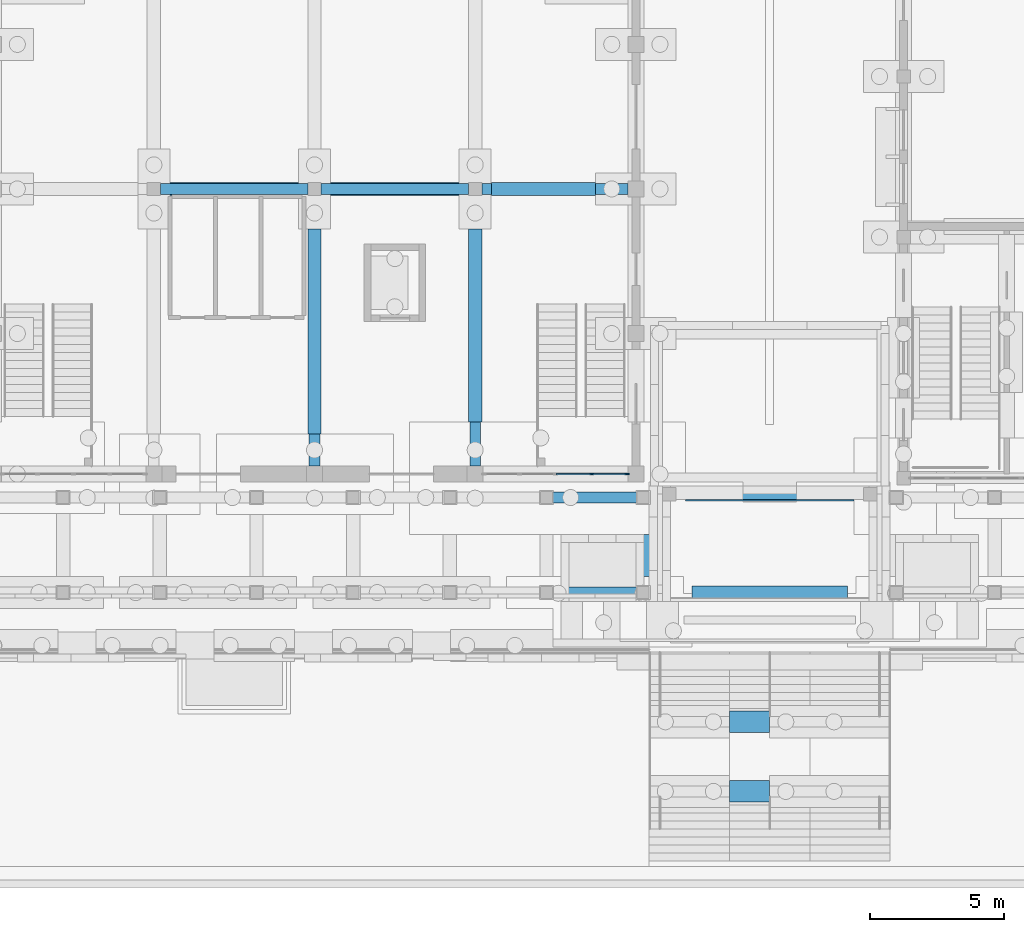
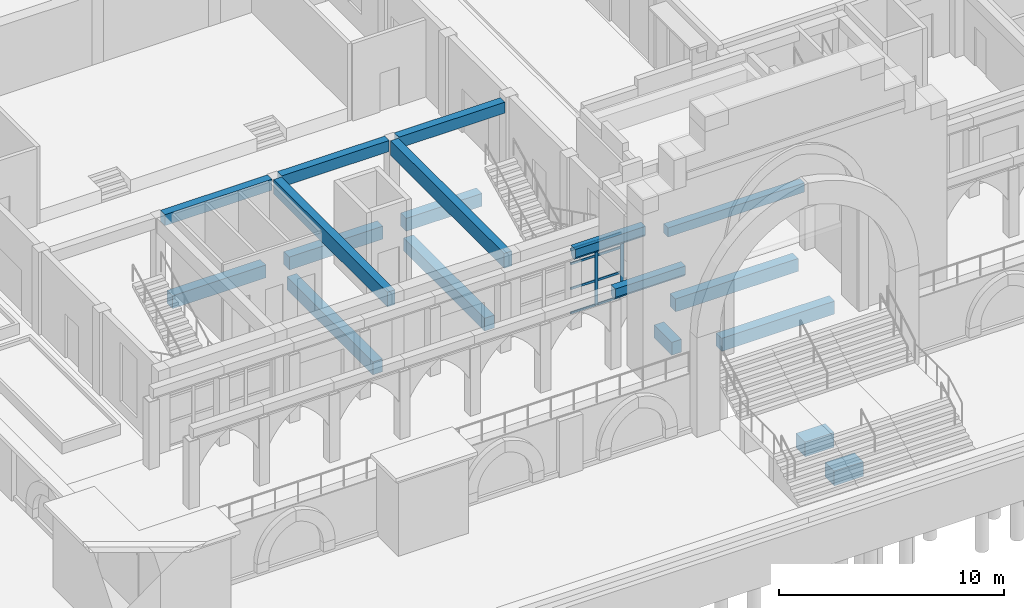
# One storey, part 11 of 161: 18 beams, 10 members, 1 element without a shape of its own.
"""IFC4 building model written with IfcOpenShell, lengths in metres."""

from ifc_helpers import new_model, si_unit, direction, frame, origin, origin_2d, place, context, subcontext, project, spatial, polyline, rectangle, outline, extrude, material, material_profile, profile_set, type_object, element, aggregate, save


model = new_model("IFC4")

# Units and contexts
model_context = context("Model", 3, precision=1e-05, world=origin(), true_north=direction((0.0, 1.0)))
body_context = subcontext(model_context, "Body", "Model", "MODEL_VIEW")
ifc_project = project(units=[si_unit("LENGTHUNIT", "METRE"), si_unit("AREAUNIT", "SQUARE_METRE"), si_unit("VOLUMEUNIT", "CUBIC_METRE"), si_unit("PLANEANGLEUNIT", "RADIAN"), si_unit("MASSUNIT", "GRAM", prefix="KILO")], contexts=[model_context])

# Site, building, storey
site_placement = place(None, origin())
site = spatial("IfcSite", under=ifc_project, at=site_placement, CompositionType="ELEMENT")
building_placement = place(site_placement, origin())
building = spatial("IfcBuilding", under=site, at=building_placement, Name="Elbe Cascade School", CompositionType="ELEMENT")
storey_placement = place(building_placement, origin())
storey = spatial("IfcBuildingStorey", under=building, at=storey_placement, Name="L00", CompositionType="ELEMENT", Elevation=0.0)

# Beams
ifc_material_1 = material(Name="Concrete C30/37", Category="concrete")
ifc_material_profile_1 = material_profile(ifc_material_1, rectangle(XDim=0.39990234375, YDim=0.5, at=origin_2d()), Name="RC 400x500")
ifc_profile_set_1 = profile_set([ifc_material_profile_1], Name="Concrete C30/37")
beam_type_1 = type_object("IfcBeamType", Name="Assembly hall beam RC 400x500", PredefinedType="BEAM", material=ifc_profile_set_1)
beam_1_placement = place(storey_placement, frame((30.5, 5.39990234375, 3.39990234375), z_axis=(1.0, 0.0, 0.0), x_axis=(0.0, 1.0, 0.0)))
element("IfcBeam", 1, at=beam_1_placement, inside=storey, type_object=beam_type_1, Name="Assembly hall beam RC 400x500 B19", PredefinedType="BEAM", context=body_context, shape_type="SweptSolid", body=[
    extrude(rectangle(XDim=0.39990234375, YDim=0.5, at=origin_2d()), origin(), (0.0, 0.0, 1.0), 7.0),
])
ifc_material_2 = material(Name="Concrete C30/37", Category="concrete")
ifc_material_profile_2 = material_profile(ifc_material_2, rectangle(XDim=0.39990234375, YDim=0.60009765625, at=origin_2d()), Name="RC 400x600")
ifc_profile_set_2 = profile_set([ifc_material_profile_2], Name="Concrete C30/37")
beam_type_2 = type_object("IfcBeamType", Name="Assembly hall beam RC 400x600", PredefinedType="BEAM", material=ifc_profile_set_2)
for number, where, z_axis, x_axis, name in (
    (2, (11.25, 16.800048828125, 3.89990234375), (1.0, 0.0, 0.0), (0.0, 1.0, 0.0), "Assembly hall beam RC 400x600 B18"),
    (3, (17.25, 16.800048828125, 3.89990234375), (1.0, 0.0, 0.0), (0.0, 1.0, 0.0), "Assembly hall beam RC 400x600 B18"),
):
    element("IfcBeam", number, at=place(storey_placement, frame(where, z_axis=z_axis, x_axis=x_axis)), inside=storey, type_object=beam_type_2, Name=name, PredefinedType="BEAM", context=body_context, shape_type="SweptSolid", body=[
        extrude(rectangle(XDim=0.39990234375, YDim=0.60009765625, at=origin_2d()), origin(), (0.0, 0.0, 1.0), 5.5),
    ])
beam_2_placement = place(storey_placement, frame((23.25, 16.800048828125, 3.89990234375), z_axis=(1.0, 0.0, 0.0), x_axis=(0.0, 1.0, 0.0)))
element("IfcBeam", 4, at=beam_2_placement, inside=storey, type_object=beam_type_2, Name="Assembly hall beam RC 400x600 B18", PredefinedType="BEAM", context=body_context, shape_type="SweptSolid", body=[
    extrude(rectangle(XDim=0.39990234375, YDim=0.60009765625, at=origin_2d()), origin(), (0.0, 0.0, 1.0), 5.449951171875),
])
ifc_material_3 = material(Name="Concrete C30/37", Category="concrete")
ifc_material_profile_3 = material_profile(ifc_material_3, rectangle(XDim=0.39990234375, YDim=0.800048828125, at=origin_2d()), Name="RC 400x800")
ifc_profile_set_3 = profile_set([ifc_material_profile_3], Name="Concrete C30/37")
beam_type_3 = type_object("IfcBeamType", Name="Assembly hall beam RC 400x800", PredefinedType="BEAM", material=ifc_profile_set_3)
for number, where, z_axis, x_axis, name in (
    (5, (17.0, 6.449951171875, 3.800048828125), (0.0, 1.0, 0.0), (-1.0, 0.0, 0.0), "Assembly hall beam RC 400x800 B17"),
    (6, (23.0, 6.449951171875, 3.800048828125), (0.0, 1.0, 0.0), (-1.0, 0.0, 0.0), "Assembly hall beam RC 400x800 B17"),
):
    element("IfcBeam", number, at=place(storey_placement, frame(where, z_axis=z_axis, x_axis=x_axis)), inside=storey, type_object=beam_type_3, Name=name, PredefinedType="BEAM", context=body_context, shape_type="SweptSolid", body=[
        extrude(rectangle(XDim=0.39990234375, YDim=0.800048828125, at=origin_2d()), origin(), (0.0, 0.0, 1.0), 10.10009765625),
    ])

# Curtain wall, members
ifc_material_4 = material(Name="Assembly hall curtain wall")
curtain_wall_type = type_object("IfcCurtainWallType", Name="Assembly hall curtain wall", PredefinedType="NOTDEFINED", material=ifc_material_4)
curtain_wall_placement = place(storey_placement, origin())
curtain_wall = element("IfcCurtainWall", 7, at=curtain_wall_placement, inside=storey, type_object=curtain_wall_type, Name="Curtain wall CW8 AU.L00.cw.s3", PredefinedType="NOTDEFINED")
ifc_material_5 = material(Name="Aluminium - bronze anodised", Category="aluminium")
ifc_material_profile_4 = material_profile(ifc_material_5, rectangle(XDim=0.06005859375, YDim=0.159912109375, at=origin_2d()), Name="RECT 60x160")
ifc_profile_set_4 = profile_set([ifc_material_profile_4], Name="Aluminium - bronze anodised")
member_type_1 = type_object("IfcMemberType", Name="Assembly hall curtain wall mullion 60 x 160", PredefinedType="MULLION", material=ifc_profile_set_4)
member_1_placement = place(storey_placement, frame((27.35009765625, 6.14990234375, 0.0), z_axis=(0.0, 0.0, 1.0), x_axis=(0.0, 1.0, 0.0)))
member_1 = element("IfcMember", 8, at=member_1_placement, type_object=member_type_1, Name="CW8 mullion 4", PredefinedType="MULLION", context=body_context, shape_type="SweptSolid", body=[
    extrude(rectangle(XDim=0.06005859375, YDim=0.159912109375, at=origin_2d()), origin(), (0.0, 0.0, 1.0), 3.5),
])
member_2_placement = place(storey_placement, frame((28.669921875, 6.14990234375, 0.0), z_axis=(0.0, 0.0, 1.0), x_axis=(0.0, 1.0, 0.0)))
member_2 = element("IfcMember", 9, at=member_2_placement, type_object=member_type_1, Name="CW8 mullion 5", PredefinedType="MULLION", context=body_context, shape_type="SweptSolid", body=[
    extrude(rectangle(XDim=0.06005859375, YDim=0.159912109375, at=origin_2d()), origin(), (0.0, 0.0, 1.0), 3.5),
])
ifc_material_6 = material(Name="Aluminium - bronze anodised", Category="aluminium")
ifc_material_profile_5 = material_profile(ifc_material_6, rectangle(XDim=0.06005859375, YDim=0.1201171875, at=origin_2d()), Name="RECT 60x120")
ifc_profile_set_5 = profile_set([ifc_material_profile_5], Name="Aluminium - bronze anodised")
member_type_2 = type_object("IfcMemberType", Name="Assembly hall curtain wall transom 60 x 120", PredefinedType="USERDEFINED", material=ifc_profile_set_5)
member_3_placement = place(storey_placement, frame((26.030029296875, 6.14990234375, 0.030029296875), z_axis=(1.0, 0.0, 0.0), x_axis=(0.0, 1.0, 0.0)))
member_3 = element("IfcMember", 10, at=member_3_placement, type_object=member_type_2, Name="CW8 transom 3.1", ObjectType="TRANSOM", PredefinedType="USERDEFINED", context=body_context, shape_type="SweptSolid", body=[
    extrude(rectangle(XDim=0.06005859375, YDim=0.1201171875, at=origin_2d()), origin(), (0.0, 0.0, 1.0), 1.2900390625),
])
member_4_placement = place(storey_placement, frame((26.030029296875, 6.14990234375, 1.35009765625), z_axis=(1.0, 0.0, 0.0), x_axis=(0.0, 1.0, 0.0)))
member_4 = element("IfcMember", 11, at=member_4_placement, type_object=member_type_2, Name="CW8 transom 3.2", ObjectType="TRANSOM", PredefinedType="USERDEFINED", context=body_context, shape_type="SweptSolid", body=[
    extrude(rectangle(XDim=0.06005859375, YDim=0.1201171875, at=origin_2d()), origin(), (0.0, 0.0, 1.0), 1.2900390625),
])
member_5_placement = place(storey_placement, frame((26.030029296875, 6.14990234375, 2.699951171875), z_axis=(1.0, 0.0, 0.0), x_axis=(0.0, 1.0, 0.0)))
member_5 = element("IfcMember", 12, at=member_5_placement, type_object=member_type_2, Name="CW8 transom 3.3", ObjectType="TRANSOM", PredefinedType="USERDEFINED", context=body_context, shape_type="SweptSolid", body=[
    extrude(rectangle(XDim=0.06005859375, YDim=0.1201171875, at=origin_2d()), origin(), (0.0, 0.0, 1.0), 1.2900390625),
])
member_6_placement = place(storey_placement, frame((26.030029296875, 6.14990234375, 3.469970703125), z_axis=(1.0, 0.0, 0.0), x_axis=(0.0, 1.0, 0.0)))
member_6 = element("IfcMember", 13, at=member_6_placement, type_object=member_type_2, Name="CW8 transom 3.4", ObjectType="TRANSOM", PredefinedType="USERDEFINED", context=body_context, shape_type="SweptSolid", body=[
    extrude(rectangle(XDim=0.06005859375, YDim=0.1201171875, at=origin_2d()), origin(), (0.0, 0.0, 1.0), 1.2900390625),
])
member_7_placement = place(storey_placement, frame((27.3798828125, 6.14990234375, 0.030029296875), z_axis=(1.0, 0.0, 0.0), x_axis=(0.0, 1.0, 0.0)))
member_7 = element("IfcMember", 14, at=member_7_placement, type_object=member_type_2, Name="CW8 transom 4.1", ObjectType="TRANSOM", PredefinedType="USERDEFINED", context=body_context, shape_type="SweptSolid", body=[
    extrude(rectangle(XDim=0.06005859375, YDim=0.1201171875, at=origin_2d()), origin(), (0.0, 0.0, 1.0), 1.260009765625),
])
member_8_placement = place(storey_placement, frame((27.3798828125, 6.14990234375, 1.35009765625), z_axis=(1.0, 0.0, 0.0), x_axis=(0.0, 1.0, 0.0)))
member_8 = element("IfcMember", 15, at=member_8_placement, type_object=member_type_2, Name="CW8 transom 4.2", ObjectType="TRANSOM", PredefinedType="USERDEFINED", context=body_context, shape_type="SweptSolid", body=[
    extrude(rectangle(XDim=0.06005859375, YDim=0.1201171875, at=origin_2d()), origin(), (0.0, 0.0, 1.0), 1.260009765625),
])
member_9_placement = place(storey_placement, frame((27.3798828125, 6.14990234375, 2.699951171875), z_axis=(1.0, 0.0, 0.0), x_axis=(0.0, 1.0, 0.0)))
member_9 = element("IfcMember", 16, at=member_9_placement, type_object=member_type_2, Name="CW8 transom 4.3", ObjectType="TRANSOM", PredefinedType="USERDEFINED", context=body_context, shape_type="SweptSolid", body=[
    extrude(rectangle(XDim=0.06005859375, YDim=0.1201171875, at=origin_2d()), origin(), (0.0, 0.0, 1.0), 1.260009765625),
])
member_10_placement = place(storey_placement, frame((27.3798828125, 6.14990234375, 3.469970703125), z_axis=(1.0, 0.0, 0.0), x_axis=(0.0, 1.0, 0.0)))
member_10 = element("IfcMember", 17, at=member_10_placement, type_object=member_type_2, Name="CW8 transom 4.4", ObjectType="TRANSOM", PredefinedType="USERDEFINED", context=body_context, shape_type="SweptSolid", body=[
    extrude(rectangle(XDim=0.06005859375, YDim=0.1201171875, at=origin_2d()), origin(), (0.0, 0.0, 1.0), 1.260009765625),
])
aggregate(curtain_wall, [member_1, member_2, member_3, member_4, member_5, member_6, member_7, member_8, member_9, member_10])

# Beams
ifc_material_7 = material(Name="Concrete C35/45", Category="concrete")
ifc_material_profile_6 = material_profile(ifc_material_7, outline(polyline([(-0.199951171875, 0.300048828125), (0.199951171875, 0.300048828125), (0.199951171875, -0.14990234375), (0.10009765625, -0.300048828125), (-0.10009765625, -0.300048828125), (-0.199951171875, -0.14990234375), (-0.199951171875, 0.300048828125)])), Name="RC arch 400x600")
ifc_profile_set_6 = profile_set([ifc_material_profile_6], Name="Concrete C35/45")
beam_type_4 = type_object("IfcBeamType", Name="Colonnade arch beam 400x600", PredefinedType="USERDEFINED", material=ifc_profile_set_6)
for number, where, z_axis, x_axis, name in (
    (18, (25.664306640625, 1.72509765625, 3.949951171875), (1.0, 0.0, 0.0), (0.0, 1.0, 0.0), "Colonnade arch beam F7"),
    (19, (25.664306640625, 5.27490234375, 3.949951171875), (1.0, 0.0, 0.0), (0.0, 1.0, 0.0), "Colonnade arch beam R7"),
):
    element("IfcBeam", number, at=place(storey_placement, frame(where, z_axis=z_axis, x_axis=x_axis)), inside=storey, type_object=beam_type_4, Name=name, ObjectType="ARCH", PredefinedType="USERDEFINED", context=body_context, shape_type="SweptSolid", body=[
        extrude(outline(polyline([(-0.199951171875, 0.300048828125), (0.199951171875, 0.300048828125), (0.199951171875, -0.14990234375), (0.10009765625, -0.300048828125), (-0.10009765625, -0.300048828125), (-0.199951171875, -0.14990234375), (-0.199951171875, 0.300048828125)])), origin(), (0.0, 0.0, 1.0), 3.610595703125),
    ])
ifc_material_8 = material(Name="Concrete C30/37", Category="concrete")
ifc_material_profile_7 = material_profile(ifc_material_8, rectangle(XDim=0.5, YDim=0.699951171875, at=origin_2d()), Name="RC 500x700")
ifc_profile_set_7 = profile_set([ifc_material_profile_7], Name="Concrete C30/37")
beam_type_5 = type_object("IfcBeamType", Name="Found ground beam RC 500x700", PredefinedType="BEAM", material=ifc_profile_set_7)
for number, where, z_axis, x_axis, name in (
    (20, (11.60009765625, 16.800048828125, -0.64990234375), (1.0, 0.0, 0.0), (0.0, 1.0, 0.0), "Ground beam 211"),
    (21, (17.60009765625, 16.800048828125, -0.64990234375), (1.0, 0.0, 0.0), (0.0, 1.0, 0.0), "Ground beam 212"),
):
    element("IfcBeam", number, at=place(storey_placement, frame(where, z_axis=z_axis, x_axis=x_axis)), inside=storey, type_object=beam_type_5, Name=name, PredefinedType="BEAM", context=body_context, shape_type="SweptSolid", body=[
        extrude(rectangle(XDim=0.5, YDim=0.699951171875, at=origin_2d()), origin(), (0.0, 0.0, 1.0), 4.7998046875),
    ])
beam_3_placement = place(storey_placement, frame((23.60009765625, 16.800048828125, -0.64990234375), z_axis=(1.0, 0.0, 0.0), x_axis=(0.0, 1.0, 0.0)))
element("IfcBeam", 22, at=beam_3_placement, inside=storey, type_object=beam_type_5, Name="Ground beam 213", PredefinedType="BEAM", context=body_context, shape_type="SweptSolid", body=[
    extrude(rectangle(XDim=0.5, YDim=0.699951171875, at=origin_2d()), origin(), (0.0, 0.0, 1.0), 3.89990234375),
])
beam_4_placement = place(storey_placement, frame((17.0, 7.64990234375, -0.64990234375), z_axis=(0.0, 1.0, 0.0), x_axis=(-1.0, 0.0, 0.0)))
element("IfcBeam", 23, at=beam_4_placement, inside=storey, type_object=beam_type_5, Name="Ground beam 216", PredefinedType="BEAM", context=body_context, shape_type="SweptSolid", body=[
    extrude(rectangle(XDim=0.5, YDim=0.699951171875, at=origin_2d()), origin(), (0.0, 0.0, 1.0), 7.650146484375),
])
beam_5_placement = place(storey_placement, frame((23.0, 8.10009765625, -0.64990234375), z_axis=(0.0, 1.0, 0.0), x_axis=(-1.0, 0.0, 0.0)))
element("IfcBeam", 24, at=beam_5_placement, inside=storey, type_object=beam_type_5, Name="Ground beam 218", PredefinedType="BEAM", context=body_context, shape_type="SweptSolid", body=[
    extrude(rectangle(XDim=0.5, YDim=0.699951171875, at=origin_2d()), origin(), (0.0, 0.0, 1.0), 7.199951171875),
])
beam_6_placement = place(storey_placement, frame((30.85009765625, 5.39990234375, -0.64990234375), z_axis=(1.0, 0.0, 0.0), x_axis=(0.0, 1.0, 0.0)))
element("IfcBeam", 25, at=beam_6_placement, inside=storey, type_object=beam_type_5, Name="Ground beam 327", PredefinedType="BEAM", context=body_context, shape_type="SweptSolid", body=[
    extrude(rectangle(XDim=0.5, YDim=0.699951171875, at=origin_2d()), origin(), (0.0, 0.0, 1.0), 6.2998046875),
])
beam_7_placement = place(storey_placement, frame((31.10009765625, 1.72509765625, -0.64990234375), z_axis=(1.0, 0.0, 0.0), x_axis=(0.0, 1.0, 0.0)))
element("IfcBeam", 26, at=beam_7_placement, inside=storey, type_object=beam_type_5, Name="Ground beam 377", PredefinedType="BEAM", context=body_context, shape_type="SweptSolid", body=[
    extrude(rectangle(XDim=0.5, YDim=0.699951171875, at=origin_2d()), origin(), (0.0, 0.0, 1.0), 5.7998046875),
])
beam_8_placement = place(storey_placement, frame((29.27490234375, 2.324951171875, -0.64990234375), z_axis=(0.0, 1.0, 0.0), x_axis=(-1.0, 0.0, 0.0)))
element("IfcBeam", 27, at=beam_8_placement, inside=storey, type_object=beam_type_5, Name="Ground beam 385", PredefinedType="BEAM", context=body_context, shape_type="SweptSolid", body=[
    extrude(rectangle(XDim=0.5, YDim=0.699951171875, at=origin_2d()), origin(), (0.0, 0.0, 1.0), 1.574951171875),
])
ifc_material_9 = material(Name="Concrete C30/37", Category="concrete")
ifc_material_profile_8 = material_profile(ifc_material_9, rectangle(XDim=0.800048828125, YDim=0.800048828125, at=origin_2d()), Name="RC 800x800")
ifc_profile_set_8 = profile_set([ifc_material_profile_8], Name="Concrete C30/37")
beam_type_6 = type_object("IfcBeamType", Name="Found ground beam RC 800x800", PredefinedType="BEAM", material=ifc_profile_set_8)
for number, where, z_axis, x_axis, name in (
    (28, (32.5, -3.10009765625, -3.800048828125), (1.0, 0.0, 0.0), (0.0, 1.0, 0.0), "Ground beam 068"),
    (29, (32.5, -5.699951171875, -3.800048828125), (1.0, 0.0, 0.0), (0.0, 1.0, 0.0), "Ground beam 069"),
):
    element("IfcBeam", number, at=place(storey_placement, frame(where, z_axis=z_axis, x_axis=x_axis)), inside=storey, type_object=beam_type_6, Name=name, PredefinedType="BEAM", context=body_context, shape_type="SweptSolid", body=[
        extrude(rectangle(XDim=0.800048828125, YDim=0.800048828125, at=origin_2d()), origin(), (0.0, 0.0, 1.0), 1.5),
    ])

save(model, "model.ifc")
